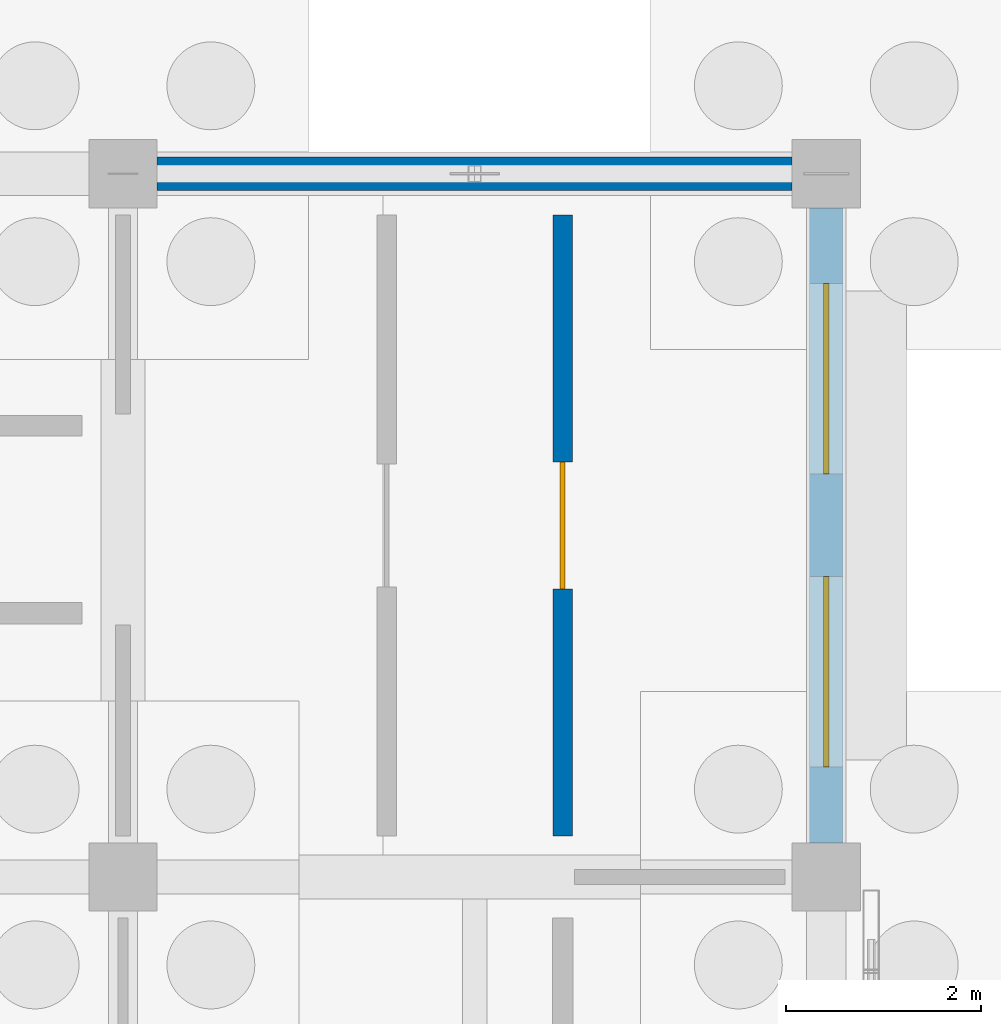
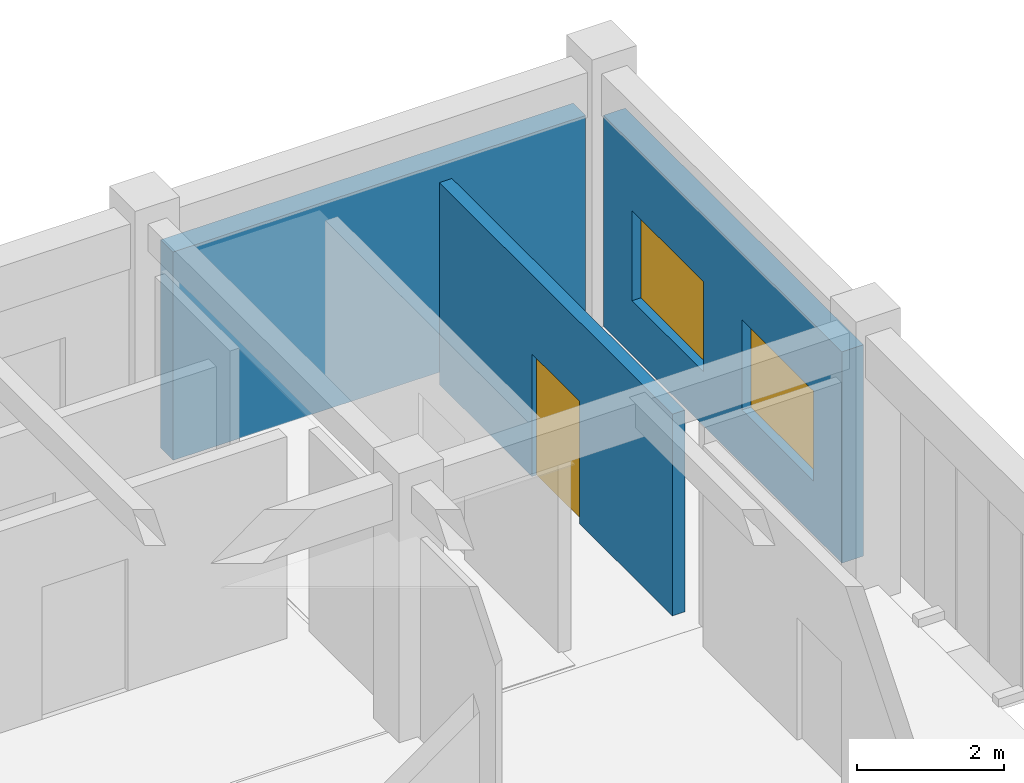
# One storey, part 84 of 111: 3 walls, 2 windows, 1 door, 3 openings.
"""IFC4 building model written with IfcOpenShell, lengths in metres."""

from ifc_helpers import new_model, si_unit, direction, frame, frame_2d, origin, place, context, subcontext, project, spatial, rectangle, extrude, material, layer, layer_set, type_object, element, fill, save


model = new_model("IFC4")

# Units and contexts
model_context = context("Model", 3, precision=1e-05, world=origin(), true_north=direction((0.0, 1.0)))
body_context = subcontext(model_context, "Body", "Model", "MODEL_VIEW")
ifc_project = project(units=[si_unit("LENGTHUNIT", "METRE"), si_unit("AREAUNIT", "SQUARE_METRE"), si_unit("VOLUMEUNIT", "CUBIC_METRE"), si_unit("PLANEANGLEUNIT", "RADIAN"), si_unit("MASSUNIT", "GRAM", prefix="KILO")], contexts=[model_context])

# Site, building, storey
site_placement = place(None, origin())
site = spatial("IfcSite", under=ifc_project, at=site_placement, CompositionType="ELEMENT")
building_placement = place(site_placement, origin())
building = spatial("IfcBuilding", under=site, at=building_placement, Name="Aldebral Square Health Centre", CompositionType="ELEMENT")
storey_placement = place(building_placement, origin())
storey = spatial("IfcBuildingStorey", under=building, at=storey_placement, Name="L00", CompositionType="ELEMENT", Elevation=0.0)

# Wall
ifc_material_1 = material(Name="Cream cantera stone and concrete wall C35/45", Category="masonry")
ifc_layer_1 = layer(ifc_material_1, 0.340087890625, Name="Cream cantera stone and concrete wall C35/45", Category="masonry")
ifc_layer_set_1 = layer_set([ifc_layer_1], Name="Cream cantera stone and concrete wall C35/45")
wall_type_1 = type_object("IfcWallType", Name="EW-CAN-340", PredefinedType="SOLIDWALL", material=ifc_layer_set_1)
wall_1_placement = place(storey_placement, frame((165.25, 115.199951171875, 0.0), z_axis=(0.0, 0.0, 1.0), x_axis=(-1.0, 0.0, 0.0)))
element("IfcWall", 1, at=wall_1_placement, inside=storey, type_object=wall_type_1, Name="L00 V5 exterior wall L00-V5-22-15-N", PredefinedType="SOLIDWALL", context=body_context, shape_type="SweptSolid", body=[
    extrude(rectangle(XDim=6.5, YDim=0.340087890625, at=frame_2d((3.25, 0.0))), origin(), (0.0, 0.0, 1.0), 3.469970703125),
])

# Wall, openings, windows
wall_2_placement = place(storey_placement, frame((165.60009765625, 108.35009765625, 0.0), z_axis=(0.0, 0.0, 1.0), x_axis=(0.0, 1.0, 0.0)))
wall_2 = element("IfcWall", 2, at=wall_2_placement, inside=storey, type_object=wall_type_1, Name="L00 V5 exterior wall L00-V5-22-15-E", PredefinedType="SOLIDWALL", context=body_context, shape_type="SweptSolid", body=[
    extrude(rectangle(XDim=6.5, YDim=0.340087890625, at=frame_2d((3.25, 0.0))), origin(), (0.0, 0.0, 1.0), 3.52001953125),
])
opening_1_placement = place(wall_2_placement, frame((0.77490234375, 0.0, 0.89990234375)))
opening_1 = element("IfcOpeningElement", 3, at=opening_1_placement, cuts=wall_2, Name="Opening W26", PredefinedType="OPENING", context=body_context, shape_type="SweptSolid", body=[
    extrude(rectangle(XDim=1.949951171875, YDim=1.5, at=frame_2d((0.97509765625, 0.75))), frame((0.0, 0.18017578125, 0.0), z_axis=(0.0, -1.0, 0.0), x_axis=(1.0, 0.0, 0.0)), (0.0, 0.0, 1.0), 0.360107421875),
])
opening_2_placement = place(wall_2_placement, frame((3.77490234375, 0.0, 0.89990234375)))
opening_2 = element("IfcOpeningElement", 4, at=opening_2_placement, cuts=wall_2, Name="Opening W26", PredefinedType="OPENING", context=body_context, shape_type="SweptSolid", body=[
    extrude(rectangle(XDim=1.949951171875, YDim=1.5, at=frame_2d((0.97509765625, 0.75))), frame((0.0, 0.18017578125, 0.0), z_axis=(0.0, -1.0, 0.0), x_axis=(1.0, 0.0, 0.0)), (0.0, 0.0, 1.0), 0.360107421875),
])
ifc_material_2 = material(Name="Thermally broken aluminium and low-E glass", Category="aluminium")
window_type = type_object("IfcWindowType", Name="WIN-W26", PartitioningType="SINGLE_PANEL", PredefinedType="WINDOW", material=ifc_material_2)
window_1_placement = place(opening_1_placement, origin())
window_1 = element("IfcWindow", 5, at=window_1_placement, inside=storey, type_object=window_type, Name="L00 clinical window L00-V5-22-15-E.1", OverallHeight=1.5, OverallWidth=1.949951171875, PartitioningType="SINGLE_PANEL", PredefinedType="WINDOW", context=body_context, shape_type="SweptSolid", body=[
    extrude(rectangle(XDim=1.949951171875, YDim=1.5, at=frame_2d((0.97509765625, 0.75))), frame((0.0, 0.030029296875, 0.0), z_axis=(0.0, -1.0, 0.0), x_axis=(1.0, 0.0, 0.0)), (0.0, 0.0, 1.0), 0.06005859375),
])
fill(opening_1, window_1)
window_2_placement = place(opening_2_placement, origin())
window_2 = element("IfcWindow", 6, at=window_2_placement, inside=storey, type_object=window_type, Name="L00 clinical window L00-V5-22-15-E.2", OverallHeight=1.5, OverallWidth=1.949951171875, PartitioningType="SINGLE_PANEL", PredefinedType="WINDOW", context=body_context, shape_type="SweptSolid", body=[
    extrude(rectangle(XDim=1.949951171875, YDim=1.5, at=frame_2d((0.97509765625, 0.75))), frame((0.0, 0.030029296875, 0.0), z_axis=(0.0, -1.0, 0.0), x_axis=(1.0, 0.0, 0.0)), (0.0, 0.0, 1.0), 0.06005859375),
])
fill(opening_2, window_2)

# Wall, opening, door
ifc_material_3 = material(Name="Concrete C35/45 compartment wall", Category="concrete")
ifc_layer_2 = layer(ifc_material_3, 0.199951171875, Name="Concrete C35/45 compartment wall", Category="concrete")
ifc_layer_set_2 = layer_set([ifc_layer_2], Name="Concrete C35/45 compartment wall")
wall_type_2 = type_object("IfcWallType", Name="IW-CMP-200", PredefinedType="SOLIDWALL", material=ifc_layer_set_2)
wall_3_placement = place(storey_placement, frame((162.89990234375, 108.419921875, 0.0), z_axis=(0.0, 0.0, 1.0), x_axis=(0.0, 1.0, 0.0)))
wall_3 = element("IfcWall", 7, at=wall_3_placement, inside=storey, type_object=wall_type_2, Name="L00 Prenatal Ultrasound Room 23.16E corridor wall", PredefinedType="SOLIDWALL", context=body_context, shape_type="SweptSolid", body=[
    extrude(rectangle(XDim=6.360107421875, YDim=0.199951171875, at=frame_2d((3.18017578125, 0.0))), origin(), (0.0, 0.0, 1.0), 3.360107421875),
])
opening_3_placement = place(wall_3_placement, frame((2.530029296875, 0.0, 0.0)))
opening_3 = element("IfcOpeningElement", 8, at=opening_3_placement, cuts=wall_3, Name="Opening D-0163", PredefinedType="OPENING", context=body_context, shape_type="SweptSolid", body=[
    extrude(rectangle(XDim=1.300048828125, YDim=2.0400390625, at=frame_2d((0.64990234375, 1.02001953125))), frame((0.0, 0.10986328125, 0.0), z_axis=(0.0, -1.0, 0.0), x_axis=(1.0, 0.0, 0.0)), (0.0, 0.0, 1.0), 0.219970703125),
])
ifc_material_4 = material(Name="Clinical suite fire door")
door_type = type_object("IfcDoorType", Name="ID-EXD-10", OperationType="NOTDEFINED", PredefinedType="DOOR", material=ifc_material_4)
door_placement = place(opening_3_placement, origin())
door = element("IfcDoor", 9, at=door_placement, inside=storey, type_object=door_type, Name="L00 Prenatal Ultrasound Room 23.16E door", OperationType="SINGLE_SWING_RIGHT", OverallHeight=2.0400390625, OverallWidth=1.300048828125, PredefinedType="DOOR", context=body_context, shape_type="SweptSolid", body=[
    extrude(rectangle(XDim=1.300048828125, YDim=2.0400390625, at=frame_2d((0.64990234375, 1.02001953125))), frame((0.0, 0.02490234375, 0.0), z_axis=(0.0, -1.0, 0.0), x_axis=(1.0, 0.0, 0.0)), (0.0, 0.0, 1.0), 0.050048828125),
])
fill(opening_3, door)

save(model, "model.ifc")
